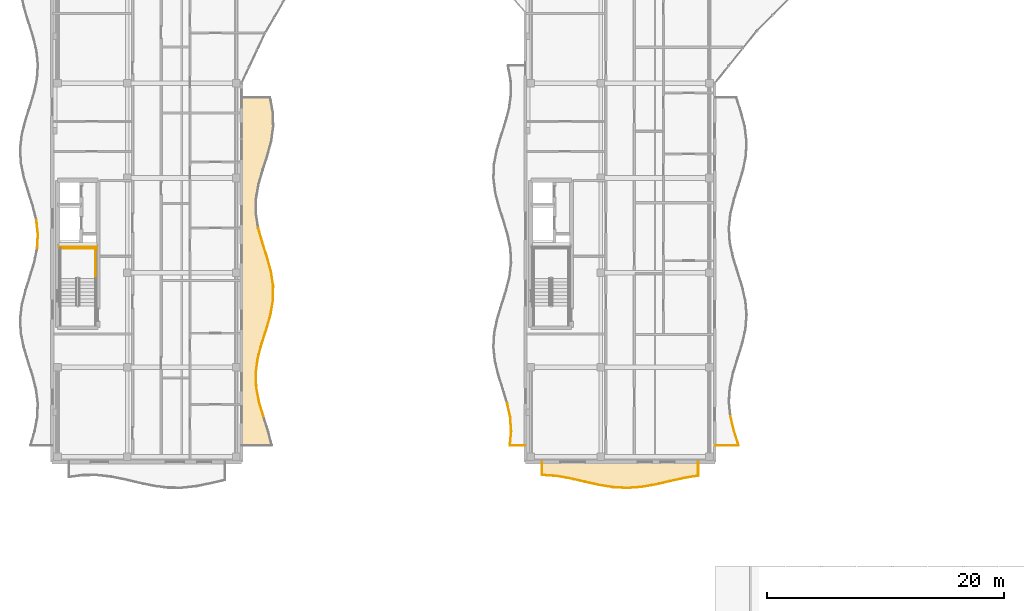
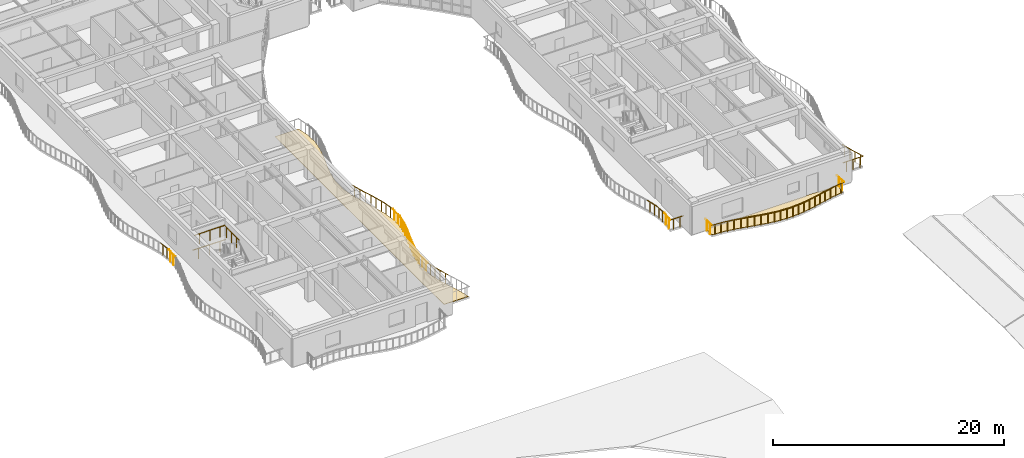
# One storey, part 66 of 89: 38 railings, 2 coverings.
"""IFC4 building model written with IfcOpenShell, lengths in metres."""

from ifc_helpers import new_model, si_unit, direction, frame, origin, origin_2d, place, context, subcontext, project, spatial, polyline, circle, outline, extrude, material, layer, layer_set, type_object, element, save


model = new_model("IFC4")

# Units and contexts
model_context = context("Model", 3, precision=1e-05, world=origin(), true_north=direction((0.0, 1.0)))
body_context = subcontext(model_context, "Body", "Model", "MODEL_VIEW")
ifc_project = project(units=[si_unit("LENGTHUNIT", "METRE"), si_unit("AREAUNIT", "SQUARE_METRE"), si_unit("VOLUMEUNIT", "CUBIC_METRE"), si_unit("PLANEANGLEUNIT", "RADIAN"), si_unit("MASSUNIT", "GRAM", prefix="KILO")], contexts=[model_context])

# Site, building, storey
site_placement = place(None, origin())
site = spatial("IfcSite", under=ifc_project, at=site_placement, CompositionType="ELEMENT")
building_placement = place(site_placement, origin())
building = spatial("IfcBuilding", under=site, at=building_placement, Name="Keldmere Railside Commons", CompositionType="ELEMENT")
storey_placement = place(building_placement, frame((0.0, 0.0, 7.360107421875)))
storey = spatial("IfcBuildingStorey", under=building, at=storey_placement, Name="L02", CompositionType="ELEMENT", Elevation=7.360107421875)

# Railings
ifc_material_1 = material(Name="Steel F-24 (S235)", Category="steel")
railing_type_1 = type_object("IfcRailingType", Name="Balcony & Terrace Steel Balustrade 1100", PredefinedType="BALUSTRADE", material=ifc_material_1)
railing_1_placement = place(storey_placement, frame((25.854736328125, 59.85009765625, 0.0)))
element("IfcRailing", 1, at=railing_1_placement, inside=storey, type_object=railing_type_1, Name="GR-1 GRD-L02-0156", PredefinedType="BALUSTRADE", context=body_context, shape_type="SweptSolid", body=[
    extrude(circle(Radius=0.02392578125, at=origin_2d()), frame((0.0, 0.0, 1.076171875), z_axis=(-0.286103577463, 0.958198697016, 0.0), x_axis=(-0.958198697016, -0.286103577463, 0.0)), (0.0, 0.0, 1.0), 1.2783203125),
    extrude(circle(Radius=0.02099609375, at=origin_2d()), frame((-0.09130859375, 0.30615234375, 0.0)), (0.0, 0.0, 1.0), 1.048095703125),
    extrude(circle(Radius=0.02099609375, at=origin_2d()), frame((-0.2744140625, 0.918701171875, 0.0)), (0.0, 0.0, 1.0), 1.048095703125),
])
railing_2_placement = place(storey_placement, frame((25.489013671875, 61.074951171875, 0.0)))
element("IfcRailing", 2, at=railing_2_placement, inside=storey, type_object=railing_type_1, Name="GR-1 GRD-L02-0157", PredefinedType="BALUSTRADE", context=body_context, shape_type="SweptSolid", body=[
    extrude(circle(Radius=0.02392578125, at=origin_2d()), frame((0.0, 0.0, 1.076171875), z_axis=(-0.189979321875, 0.98178809183, 0.0), x_axis=(-0.98178809183, -0.189979321875, 0.0)), (0.0, 0.0, 1.0), 1.247802734375),
    extrude(circle(Radius=0.02099609375, at=origin_2d()), frame((-0.059326171875, 0.30615234375, 0.0)), (0.0, 0.0, 1.0), 1.048095703125),
    extrude(circle(Radius=0.02099609375, at=origin_2d()), frame((-0.177734375, 0.9189453125, 0.0)), (0.0, 0.0, 1.0), 1.048095703125),
])
railing_3_placement = place(storey_placement, frame((25.251953125, 62.300048828125, 0.0)))
element("IfcRailing", 3, at=railing_3_placement, inside=storey, type_object=railing_type_1, Name="GR-1 GRD-L02-0158", PredefinedType="BALUSTRADE", context=body_context, shape_type="SweptSolid", body=[
    extrude(circle(Radius=0.02392578125, at=origin_2d()), frame((0.0, 0.0, 1.076171875), z_axis=(-0.03446227584, 0.999405999354, 0.0), x_axis=(-0.999405999354, -0.03446227584, 0.0)), (0.0, 0.0, 1.0), 1.2255859375),
    extrude(circle(Radius=0.02099609375, at=origin_2d()), frame((-0.010498046875, 0.30615234375, 0.0)), (0.0, 0.0, 1.0), 1.048095703125),
    extrude(circle(Radius=0.02099609375, at=origin_2d()), frame((-0.03173828125, 0.918701171875, 0.0)), (0.0, 0.0, 1.0), 1.048095703125),
])
railing_4_placement = place(storey_placement, frame((25.209716796875, 63.52490234375, 0.0)))
element("IfcRailing", 4, at=railing_4_placement, inside=storey, type_object=railing_type_1, Name="GR-1 GRD-L02-0159", PredefinedType="BALUSTRADE", context=body_context, shape_type="SweptSolid", body=[
    extrude(circle(Radius=0.02392578125, at=origin_2d()), frame((0.0, 0.0, 1.076171875), z_axis=(0.132732967886, 0.991151834603, 0.0), x_axis=(-0.991151834603, 0.132732967886, 0.0)), (0.0, 0.0, 1.0), 1.236083984375),
    extrude(circle(Radius=0.02099609375, at=origin_2d()), frame((0.041015625, 0.30615234375, 0.0)), (0.0, 0.0, 1.0), 1.048095703125),
    extrude(circle(Radius=0.02099609375, at=origin_2d()), frame((0.123046875, 0.9189453125, 0.0)), (0.0, 0.0, 1.0), 1.048095703125),
])
railing_5_placement = place(storey_placement, frame((25.373779296875, 64.75, 0.0)))
element("IfcRailing", 5, at=railing_5_placement, inside=storey, type_object=railing_type_1, Name="GR-1 GRD-L02-0160", PredefinedType="BALUSTRADE", context=body_context, shape_type="SweptSolid", body=[
    extrude(circle(Radius=0.02392578125, at=origin_2d()), frame((0.0, 0.0, 1.076171875), z_axis=(0.256379610273, 0.966576171564, 0.0), x_axis=(-0.966576171564, 0.256379610273, 0.0)), (0.0, 0.0, 1.0), 1.267578125),
    extrude(circle(Radius=0.02099609375, at=origin_2d()), frame((0.081298828125, 0.30615234375, 0.0)), (0.0, 0.0, 1.0), 1.048095703125),
    extrude(circle(Radius=0.02099609375, at=origin_2d()), frame((0.24365234375, 0.9189453125, 0.0)), (0.0, 0.0, 1.0), 1.048095703125),
])
railing_6_placement = place(storey_placement, frame((25.69873046875, 65.97509765625, 0.0)))
element("IfcRailing", 6, at=railing_6_placement, inside=storey, type_object=railing_type_1, Name="GR-1 GRD-L02-0161", PredefinedType="BALUSTRADE", context=body_context, shape_type="SweptSolid", body=[
    extrude(circle(Radius=0.02392578125, at=origin_2d()), frame((0.0, 0.0, 1.076171875), z_axis=(0.306936267596, 0.951730070784, 0.0), x_axis=(-0.951730070784, 0.306936267596, 0.0)), (0.0, 0.0, 1.0), 1.286865234375),
    extrude(circle(Radius=0.02099609375, at=origin_2d()), frame((0.0986328125, 0.30615234375, 0.0)), (0.0, 0.0, 1.0), 1.048095703125),
    extrude(circle(Radius=0.02099609375, at=origin_2d()), frame((0.29638671875, 0.918701171875, 0.0)), (0.0, 0.0, 1.0), 1.048095703125),
])
railing_7_placement = place(storey_placement, frame((26.09375, 67.199951171875, 0.0)))
element("IfcRailing", 7, at=railing_7_placement, inside=storey, type_object=railing_type_1, Name="GR-1 GRD-L02-0162", PredefinedType="BALUSTRADE", context=body_context, shape_type="SweptSolid", body=[
    extrude(circle(Radius=0.02392578125, at=origin_2d()), frame((0.0, 0.0, 1.076171875), z_axis=(0.278309039425, 0.96049158173, 0.0), x_axis=(-0.96049158173, 0.278309039425, 0.0)), (0.0, 0.0, 1.0), 1.275390625),
    extrude(circle(Radius=0.02099609375, at=origin_2d()), frame((0.0888671875, 0.30615234375, 0.0)), (0.0, 0.0, 1.0), 1.048095703125),
    extrude(circle(Radius=0.02099609375, at=origin_2d()), frame((0.26611328125, 0.9189453125, 0.0)), (0.0, 0.0, 1.0), 1.048095703125),
])
railing_8_placement = place(storey_placement, frame((26.44873046875, 68.425048828125, 0.0)))
element("IfcRailing", 8, at=railing_8_placement, inside=storey, type_object=railing_type_1, Name="GR-1 GRD-L02-0163", PredefinedType="BALUSTRADE", context=body_context, shape_type="SweptSolid", body=[
    extrude(circle(Radius=0.02392578125, at=origin_2d()), frame((0.0, 0.0, 1.076171875), z_axis=(0.17352776868, 0.984828976776, 0.0), x_axis=(-0.984828976776, 0.17352776868, 0.0)), (0.0, 0.0, 1.0), 1.24365234375),
    extrude(circle(Radius=0.02099609375, at=origin_2d()), frame((0.053955078125, 0.30615234375, 0.0)), (0.0, 0.0, 1.0), 1.048095703125),
    extrude(circle(Radius=0.02099609375, at=origin_2d()), frame((0.161865234375, 0.918701171875, 0.0)), (0.0, 0.0, 1.0), 1.048095703125),
])
railing_9_placement = place(storey_placement, frame((26.66455078125, 69.64990234375, 0.0)))
element("IfcRailing", 9, at=railing_9_placement, inside=storey, type_object=railing_type_1, Name="GR-1 GRD-L02-0164", PredefinedType="BALUSTRADE", context=body_context, shape_type="SweptSolid", body=[
    extrude(circle(Radius=0.02392578125, at=origin_2d()), frame((0.0, 0.0, 1.076171875), z_axis=(0.013350743048, 0.999910874858, 0.0), x_axis=(-0.999910874858, 0.013350743048, 0.0)), (0.0, 0.0, 1.0), 1.22509765625),
    extrude(circle(Radius=0.02099609375, at=origin_2d()), frame((0.004150390625, 0.30615234375, 0.0)), (0.0, 0.0, 1.0), 1.048095703125),
    extrude(circle(Radius=0.02099609375, at=origin_2d()), frame((0.01220703125, 0.9189453125, 0.0)), (0.0, 0.0, 1.0), 1.048095703125),
])
railing_10_placement = place(storey_placement, frame((26.680908203125, 70.875, 0.0)))
element("IfcRailing", 10, at=railing_10_placement, inside=storey, type_object=railing_type_1, Name="GR-1 GRD-L02-0165", PredefinedType="BALUSTRADE", context=body_context, shape_type="SweptSolid", body=[
    extrude(circle(Radius=0.02392578125, at=origin_2d()), frame((0.0, 0.0, 1.076171875), z_axis=(-0.151094912793, 0.988519259968, 0.0), x_axis=(-0.988519259968, -0.151094912793, 0.0)), (0.0, 0.0, 1.0), 1.2392578125),
    extrude(circle(Radius=0.02099609375, at=origin_2d()), frame((-0.046875, 0.30615234375, 0.0)), (0.0, 0.0, 1.0), 1.048095703125),
    extrude(circle(Radius=0.02099609375, at=origin_2d()), frame((-0.140380859375, 0.9189453125, 0.0)), (0.0, 0.0, 1.0), 1.048095703125),
])
railing_11_placement = place(storey_placement, frame((26.49365234375, 72.10009765625, 0.0)))
element("IfcRailing", 11, at=railing_11_placement, inside=storey, type_object=railing_type_1, Name="GR-1 GRD-L02-0166", PredefinedType="BALUSTRADE", context=body_context, shape_type="SweptSolid", body=[
    extrude(circle(Radius=0.02392578125, at=origin_2d()), frame((0.0, 0.0, 1.076171875), z_axis=(-0.266821441015, 0.963745982412, 0.0), x_axis=(-0.963745982412, -0.266821441015, 0.0)), (0.0, 0.0, 1.0), 1.27099609375),
    extrude(circle(Radius=0.02099609375, at=origin_2d()), frame((-0.084716796875, 0.30615234375, 0.0)), (0.0, 0.0, 1.0), 1.048095703125),
    extrude(circle(Radius=0.02099609375, at=origin_2d()), frame((-0.25439453125, 0.918701171875, 0.0)), (0.0, 0.0, 1.0), 1.048095703125),
])
railing_12_placement = place(storey_placement, frame((26.154541015625, 73.324951171875, 0.0)))
element("IfcRailing", 12, at=railing_12_placement, inside=storey, type_object=railing_type_1, Name="GR-1 GRD-L02-0167", PredefinedType="BALUSTRADE", context=body_context, shape_type="SweptSolid", body=[
    extrude(circle(Radius=0.02392578125, at=origin_2d()), frame((0.0, 0.0, 1.076171875), z_axis=(-0.307739510091, 0.95147064796, 0.0), x_axis=(-0.95147064796, -0.307739510091, 0.0)), (0.0, 0.0, 1.0), 1.28759765625),
    extrude(circle(Radius=0.02099609375, at=origin_2d()), frame((-0.09912109375, 0.30615234375, 0.0)), (0.0, 0.0, 1.0), 1.048095703125),
    extrude(circle(Radius=0.02099609375, at=origin_2d()), frame((-0.297119140625, 0.9189453125, 0.0)), (0.0, 0.0, 1.0), 1.048095703125),
])
railing_13_placement = place(storey_placement, frame((25.75830078125, 74.550048828125, 0.0)))
element("IfcRailing", 13, at=railing_13_placement, inside=storey, type_object=railing_type_1, Name="GR-1 GRD-L02-0168", PredefinedType="BALUSTRADE", context=body_context, shape_type="SweptSolid", body=[
    extrude(circle(Radius=0.02392578125, at=origin_2d()), frame((0.0, 0.0, 1.076171875), z_axis=(-0.269316627201, 0.963051688287, 0.0), x_axis=(-0.963051688287, -0.269316627201, 0.0)), (0.0, 0.0, 1.0), 1.271728515625),
    extrude(circle(Radius=0.02099609375, at=origin_2d()), frame((-0.085693359375, 0.30615234375, 0.0)), (0.0, 0.0, 1.0), 1.048095703125),
    extrude(circle(Radius=0.02099609375, at=origin_2d()), frame((-0.2568359375, 0.918701171875, 0.0)), (0.0, 0.0, 1.0), 1.048095703125),
])
railing_14_placement = place(storey_placement, frame((6.736083984375, 74.083251953125, 0.0)))
element("IfcRailing", 14, at=railing_14_placement, inside=storey, type_object=railing_type_1, Name="GR-1 GRD-L02-0194", PredefinedType="BALUSTRADE", context=body_context, shape_type="SweptSolid", body=[
    extrude(circle(Radius=0.02392578125, at=origin_2d()), frame((0.0, 0.0, 1.076171875), z_axis=(0.050131518768, 0.998742624917, 0.0), x_axis=(-0.998742624917, 0.050131518768, 0.0)), (0.0, 0.0, 1.0), 1.193115234375),
    extrude(circle(Radius=0.02099609375, at=origin_2d()), frame((0.014892578125, 0.2978515625, 0.0)), (0.0, 0.0, 1.0), 1.048095703125),
    extrude(circle(Radius=0.02099609375, at=origin_2d()), frame((0.044921875, 0.893798828125, 0.0)), (0.0, 0.0, 1.0), 1.048095703125),
])
railing_15_placement = place(storey_placement, frame((6.7958984375, 75.27490234375, 0.0)))
element("IfcRailing", 15, at=railing_15_placement, inside=storey, type_object=railing_type_1, Name="GR-1 GRD-L02-0195", PredefinedType="BALUSTRADE", context=body_context, shape_type="SweptSolid", body=[
    extrude(circle(Radius=0.02392578125, at=origin_2d()), frame((0.0, 0.0, 1.076171875), z_axis=(-0.114361497637, 0.993439201893, 0.0), x_axis=(-0.993439201893, -0.114361497637, 0.0)), (0.0, 0.0, 1.0), 1.19970703125),
    extrude(circle(Radius=0.02099609375, at=origin_2d()), frame((-0.0341796875, 0.2978515625, 0.0)), (0.0, 0.0, 1.0), 1.048095703125),
    extrude(circle(Radius=0.02099609375, at=origin_2d()), frame((-0.10302734375, 0.89404296875, 0.0)), (0.0, 0.0, 1.0), 1.048095703125),
])
railing_16_placement = place(storey_placement, frame((64.0, 57.39990234375, 0.0)))
element("IfcRailing", 16, at=railing_16_placement, inside=storey, type_object=railing_type_1, Name="GR-1 GRD-L02-0954", PredefinedType="BALUSTRADE", context=body_context, shape_type="SweptSolid", body=[
    extrude(circle(Radius=0.02392578125, at=origin_2d()), frame((0.0, 0.0, 1.076171875), z_axis=(1.0, 0.0, 0.0), x_axis=(0.0, 1.0, 0.0)), (0.0, 0.0, 1.0), 2.0185546875),
    extrude(circle(Radius=0.02099609375, at=origin_2d()), frame((0.33642578125, 0.0, 0.0)), (0.0, 0.0, 1.0), 1.048095703125),
    extrude(circle(Radius=0.02099609375, at=origin_2d()), frame((1.00927734375, 0.0, 0.0)), (0.0, 0.0, 1.0), 1.048095703125),
    extrude(circle(Radius=0.02099609375, at=origin_2d()), frame((1.68212890625, 0.0, 0.0)), (0.0, 0.0, 1.0), 1.048095703125),
])
railing_17_placement = place(storey_placement, frame((66.0185546875, 57.39990234375, 0.0)))
element("IfcRailing", 17, at=railing_17_placement, inside=storey, type_object=railing_type_1, Name="GR-1 GRD-L02-0955", PredefinedType="BALUSTRADE", context=body_context, shape_type="SweptSolid", body=[
    extrude(circle(Radius=0.02392578125, at=origin_2d()), frame((0.0, 0.0, 1.076171875), z_axis=(-0.303266361998, 0.952905826239, 0.0), x_axis=(-0.952905826239, -0.303266361998, 0.0)), (0.0, 0.0, 1.0), 1.28564453125),
    extrude(circle(Radius=0.02099609375, at=origin_2d()), frame((-0.097412109375, 0.30615234375, 0.0)), (0.0, 0.0, 1.0), 1.048095703125),
    extrude(circle(Radius=0.02099609375, at=origin_2d()), frame((-0.29248046875, 0.9189453125, 0.0)), (0.0, 0.0, 1.0), 1.048095703125),
])
railing_18_placement = place(storey_placement, frame((65.628662109375, 58.625, 0.0)))
element("IfcRailing", 18, at=railing_18_placement, inside=storey, type_object=railing_type_1, Name="GR-1 GRD-L02-0956", PredefinedType="BALUSTRADE", context=body_context, shape_type="SweptSolid", body=[
    extrude(circle(Radius=0.02392578125, at=origin_2d()), frame((0.0, 0.0, 1.076171875), z_axis=(-0.238252528494, 0.971203239629, 0.0), x_axis=(-0.971203239629, -0.238252528494, 0.0)), (0.0, 0.0, 1.0), 1.261474609375),
    extrude(circle(Radius=0.02099609375, at=origin_2d()), frame((-0.0751953125, 0.30615234375, 0.0)), (0.0, 0.0, 1.0), 1.048095703125),
    extrude(circle(Radius=0.02099609375, at=origin_2d()), frame((-0.225341796875, 0.9189453125, 0.0)), (0.0, 0.0, 1.0), 1.048095703125),
])
railing_19_placement = place(storey_placement, frame((48.0, 57.39990234375, 0.0)))
element("IfcRailing", 19, at=railing_19_placement, inside=storey, type_object=railing_type_1, Name="GR-1 GRD-L02-0980", PredefinedType="BALUSTRADE", context=body_context, shape_type="SweptSolid", body=[
    extrude(circle(Radius=0.02392578125, at=origin_2d()), frame((0.0, 0.0, 1.076171875), z_axis=(-1.0, 0.0, 0.0), x_axis=(0.0, -1.0, 0.0)), (0.0, 0.0, 1.0), 1.3154296875),
    extrude(circle(Radius=0.02099609375, at=origin_2d()), frame((-0.328857421875, 0.0, 0.0)), (0.0, 0.0, 1.0), 1.048095703125),
    extrude(circle(Radius=0.02099609375, at=origin_2d()), frame((-0.986572265625, 0.0, 0.0)), (0.0, 0.0, 1.0), 1.048095703125),
])
railing_20_placement = place(storey_placement, frame((46.6845703125, 57.39990234375, 0.0)))
element("IfcRailing", 20, at=railing_20_placement, inside=storey, type_object=railing_type_1, Name="GR-1 GRD-L02-0981", PredefinedType="BALUSTRADE", context=body_context, shape_type="SweptSolid", body=[
    extrude(circle(Radius=0.02392578125, at=origin_2d()), frame((0.0, 0.0, 1.076171875), z_axis=(0.096062910539, 0.99537526452, 0.0), x_axis=(-0.99537526452, 0.096062910539, 0.0)), (0.0, 0.0, 1.0), 1.194580078125),
    extrude(circle(Radius=0.02099609375, at=origin_2d()), frame((0.02880859375, 0.29736328125, 0.0)), (0.0, 0.0, 1.0), 1.048095703125),
    extrude(circle(Radius=0.02099609375, at=origin_2d()), frame((0.0859375, 0.8916015625, 0.0)), (0.0, 0.0, 1.0), 1.048095703125),
])
railing_21_placement = place(storey_placement, frame((46.79931640625, 58.5888671875, 0.0)))
element("IfcRailing", 21, at=railing_21_placement, inside=storey, type_object=railing_type_1, Name="GR-1 GRD-L02-0982", PredefinedType="BALUSTRADE", context=body_context, shape_type="SweptSolid", body=[
    extrude(circle(Radius=0.02392578125, at=origin_2d()), frame((0.0, 0.0, 1.076171875), z_axis=(-0.069237958616, 0.997600172958, 0.0), x_axis=(-0.997600172958, -0.069237958616, 0.0)), (0.0, 0.0, 1.0), 1.19189453125),
    extrude(circle(Radius=0.02099609375, at=origin_2d()), frame((-0.0205078125, 0.29736328125, 0.0)), (0.0, 0.0, 1.0), 1.048095703125),
    extrude(circle(Radius=0.02099609375, at=origin_2d()), frame((-0.06201171875, 0.8916015625, 0.0)), (0.0, 0.0, 1.0), 1.048095703125),
])
railing_22_placement = place(storey_placement, frame((46.716796875, 59.77783203125, 0.0)))
element("IfcRailing", 22, at=railing_22_placement, inside=storey, type_object=railing_type_1, Name="GR-1 GRD-L02-0983", PredefinedType="BALUSTRADE", context=body_context, shape_type="SweptSolid", body=[
    extrude(circle(Radius=0.02392578125, at=origin_2d()), frame((0.0, 0.0, 1.076171875), z_axis=(-0.211913075083, 0.977288518611, 0.0), x_axis=(-0.977288518611, -0.211913075083, 0.0)), (0.0, 0.0, 1.0), 1.216552734375),
    extrude(circle(Radius=0.02099609375, at=origin_2d()), frame((-0.064453125, 0.29736328125, 0.0)), (0.0, 0.0, 1.0), 1.048095703125),
    extrude(circle(Radius=0.02099609375, at=origin_2d()), frame((-0.193359375, 0.8916015625, 0.0)), (0.0, 0.0, 1.0), 1.048095703125),
])
railing_23_placement = place(storey_placement, frame((49.39990234375, 56.0, 0.0)))
element("IfcRailing", 23, at=railing_23_placement, inside=storey, type_object=railing_type_1, Name="GR-1 GRD-L02-1035", PredefinedType="BALUSTRADE", context=body_context, shape_type="SweptSolid", body=[
    extrude(circle(Radius=0.02392578125, at=origin_2d()), frame((0.0, 0.0, 1.076171875), z_axis=(0.0, -1.0, 0.0), x_axis=(1.0, 0.0, 0.0)), (0.0, 0.0, 1.0), 1.100341796875),
    extrude(circle(Radius=0.02099609375, at=origin_2d()), frame((0.0, -0.275146484375, 0.0)), (0.0, 0.0, 1.0), 1.048095703125),
    extrude(circle(Radius=0.02099609375, at=origin_2d()), frame((0.0, -0.8251953125, 0.0)), (0.0, 0.0, 1.0), 1.048095703125),
])
railing_24_placement = place(storey_placement, frame((49.39990234375, 54.899658203125, 0.0)))
element("IfcRailing", 24, at=railing_24_placement, inside=storey, type_object=railing_type_1, Name="GR-1 GRD-L02-1036", PredefinedType="BALUSTRADE", context=body_context, shape_type="SweptSolid", body=[
    extrude(circle(Radius=0.02392578125, at=origin_2d()), frame((0.0, 0.0, 1.076171875), z_axis=(0.997560663074, -0.06980489587, 0.0), x_axis=(0.06980489587, 0.997560663074, 0.0)), (0.0, 0.0, 1.0), 1.203125),
    extrude(circle(Radius=0.02099609375, at=origin_2d()), frame((0.300048828125, -0.02099609375, 0.0)), (0.0, 0.0, 1.0), 1.048095703125),
    extrude(circle(Radius=0.02099609375, at=origin_2d()), frame((0.900146484375, -0.06298828125, 0.0)), (0.0, 0.0, 1.0), 1.048095703125),
])
railing_25_placement = place(storey_placement, frame((50.60009765625, 54.815673828125, 0.0)))
element("IfcRailing", 25, at=railing_25_placement, inside=storey, type_object=railing_type_1, Name="GR-1 GRD-L02-1037", PredefinedType="BALUSTRADE", context=body_context, shape_type="SweptSolid", body=[
    extrude(circle(Radius=0.02392578125, at=origin_2d()), frame((0.0, 0.0, 1.076171875), z_axis=(0.985204398003, -0.171383471067, 0.0), x_axis=(0.171383471067, 0.985204398003, 0.0)), (0.0, 0.0, 1.0), 1.218017578125),
    extrude(circle(Radius=0.02099609375, at=origin_2d()), frame((0.300048828125, -0.05224609375, 0.0)), (0.0, 0.0, 1.0), 1.048095703125),
    extrude(circle(Radius=0.02099609375, at=origin_2d()), frame((0.89990234375, -0.156494140625, 0.0)), (0.0, 0.0, 1.0), 1.048095703125),
])
railing_26_placement = place(storey_placement, frame((51.800048828125, 54.60693359375, 0.0)))
element("IfcRailing", 26, at=railing_26_placement, inside=storey, type_object=railing_type_1, Name="GR-1 GRD-L02-1038", PredefinedType="BALUSTRADE", context=body_context, shape_type="SweptSolid", body=[
    extrude(circle(Radius=0.02392578125, at=origin_2d()), frame((0.0, 0.0, 1.076171875), z_axis=(0.974270785594, -0.225380647654, 0.0), x_axis=(0.225380647654, 0.974270785594, 0.0)), (0.0, 0.0, 1.0), 1.231689453125),
    extrude(circle(Radius=0.02099609375, at=origin_2d()), frame((0.300048828125, -0.0693359375, 0.0)), (0.0, 0.0, 1.0), 1.048095703125),
    extrude(circle(Radius=0.02099609375, at=origin_2d()), frame((0.89990234375, -0.208251953125, 0.0)), (0.0, 0.0, 1.0), 1.048095703125),
])
railing_27_placement = place(storey_placement, frame((53.0, 54.329345703125, 0.0)))
element("IfcRailing", 27, at=railing_27_placement, inside=storey, type_object=railing_type_1, Name="GR-1 GRD-L02-1039", PredefinedType="BALUSTRADE", context=body_context, shape_type="SweptSolid", body=[
    extrude(circle(Radius=0.02392578125, at=origin_2d()), frame((0.0, 0.0, 1.076171875), z_axis=(0.975263281136, -0.221046448664, 0.0), x_axis=(0.221046448664, 0.975263281136, 0.0)), (0.0, 0.0, 1.0), 1.23046875),
    extrude(circle(Radius=0.02099609375, at=origin_2d()), frame((0.300048828125, -0.06787109375, 0.0)), (0.0, 0.0, 1.0), 1.048095703125),
    extrude(circle(Radius=0.02099609375, at=origin_2d()), frame((0.89990234375, -0.2041015625, 0.0)), (0.0, 0.0, 1.0), 1.048095703125),
])
railing_28_placement = place(storey_placement, frame((54.199951171875, 54.057373046875, 0.0)))
element("IfcRailing", 28, at=railing_28_placement, inside=storey, type_object=railing_type_1, Name="GR-1 GRD-L02-1040", PredefinedType="BALUSTRADE", context=body_context, shape_type="SweptSolid", body=[
    extrude(circle(Radius=0.02392578125, at=origin_2d()), frame((0.0, 0.0, 1.076171875), z_axis=(0.987232970891, -0.159282959495, 0.0), x_axis=(0.159282959495, 0.987232970891, 0.0)), (0.0, 0.0, 1.0), 1.215576171875),
    extrude(circle(Radius=0.02099609375, at=origin_2d()), frame((0.300048828125, -0.04833984375, 0.0)), (0.0, 0.0, 1.0), 1.048095703125),
    extrude(circle(Radius=0.02099609375, at=origin_2d()), frame((0.89990234375, -0.145263671875, 0.0)), (0.0, 0.0, 1.0), 1.048095703125),
])
railing_29_placement = place(storey_placement, frame((55.39990234375, 53.86376953125, 0.0)))
element("IfcRailing", 29, at=railing_29_placement, inside=storey, type_object=railing_type_1, Name="GR-1 GRD-L02-1041", PredefinedType="BALUSTRADE", context=body_context, shape_type="SweptSolid", body=[
    extrude(circle(Radius=0.02392578125, at=origin_2d()), frame((0.0, 0.0, 1.076171875), z_axis=(0.998604329135, -0.052814712281, 0.0), x_axis=(0.052814712281, 0.998604329135, 0.0)), (0.0, 0.0, 1.0), 1.201904296875),
    extrude(circle(Radius=0.02099609375, at=origin_2d()), frame((0.300048828125, -0.015869140625, 0.0)), (0.0, 0.0, 1.0), 1.048095703125),
    extrude(circle(Radius=0.02099609375, at=origin_2d()), frame((0.900146484375, -0.047607421875, 0.0)), (0.0, 0.0, 1.0), 1.048095703125),
])
railing_30_placement = place(storey_placement, frame((56.60009765625, 53.80029296875, 0.0)))
element("IfcRailing", 30, at=railing_30_placement, inside=storey, type_object=railing_type_1, Name="GR-1 GRD-L02-1042", PredefinedType="BALUSTRADE", context=body_context, shape_type="SweptSolid", body=[
    extrude(circle(Radius=0.02392578125, at=origin_2d()), frame((0.0, 0.0, 1.076171875), z_axis=(0.9975455177, 0.070020997682, 0.0), x_axis=(-0.070020997682, 0.9975455177, 0.0)), (0.0, 0.0, 1.0), 1.202880859375),
    extrude(circle(Radius=0.02099609375, at=origin_2d()), frame((0.300048828125, 0.02099609375, 0.0)), (0.0, 0.0, 1.0), 1.048095703125),
    extrude(circle(Radius=0.02099609375, at=origin_2d()), frame((0.89990234375, 0.063232421875, 0.0)), (0.0, 0.0, 1.0), 1.048095703125),
])
railing_31_placement = place(storey_placement, frame((57.800048828125, 53.884521484375, 0.0)))
element("IfcRailing", 31, at=railing_31_placement, inside=storey, type_object=railing_type_1, Name="GR-1 GRD-L02-1043", PredefinedType="BALUSTRADE", context=body_context, shape_type="SweptSolid", body=[
    extrude(circle(Radius=0.02392578125, at=origin_2d()), frame((0.0, 0.0, 1.076171875), z_axis=(0.985238225232, 0.171188900173, 0.0), x_axis=(-0.171188900173, 0.985238225232, 0.0)), (0.0, 0.0, 1.0), 1.218017578125),
    extrude(circle(Radius=0.02099609375, at=origin_2d()), frame((0.300048828125, 0.05224609375, 0.0)), (0.0, 0.0, 1.0), 1.048095703125),
    extrude(circle(Radius=0.02099609375, at=origin_2d()), frame((0.89990234375, 0.15625, 0.0)), (0.0, 0.0, 1.0), 1.048095703125),
])
railing_32_placement = place(storey_placement, frame((59.0, 54.093017578125, 0.0)))
element("IfcRailing", 32, at=railing_32_placement, inside=storey, type_object=railing_type_1, Name="GR-1 GRD-L02-1044", PredefinedType="BALUSTRADE", context=body_context, shape_type="SweptSolid", body=[
    extrude(circle(Radius=0.02392578125, at=origin_2d()), frame((0.0, 0.0, 1.076171875), z_axis=(0.974270785594, 0.225380647654, 0.0), x_axis=(-0.225380647654, 0.974270785594, 0.0)), (0.0, 0.0, 1.0), 1.231689453125),
    extrude(circle(Radius=0.02099609375, at=origin_2d()), frame((0.300048828125, 0.0693359375, 0.0)), (0.0, 0.0, 1.0), 1.048095703125),
    extrude(circle(Radius=0.02099609375, at=origin_2d()), frame((0.89990234375, 0.208251953125, 0.0)), (0.0, 0.0, 1.0), 1.048095703125),
])
railing_33_placement = place(storey_placement, frame((60.199951171875, 54.37060546875, 0.0)))
element("IfcRailing", 33, at=railing_33_placement, inside=storey, type_object=railing_type_1, Name="GR-1 GRD-L02-1045", PredefinedType="BALUSTRADE", context=body_context, shape_type="SweptSolid", body=[
    extrude(circle(Radius=0.02392578125, at=origin_2d()), frame((0.0, 0.0, 1.076171875), z_axis=(0.975263281136, 0.221046448664, 0.0), x_axis=(-0.221046448664, 0.975263281136, 0.0)), (0.0, 0.0, 1.0), 1.23046875),
    extrude(circle(Radius=0.02099609375, at=origin_2d()), frame((0.300048828125, 0.06787109375, 0.0)), (0.0, 0.0, 1.0), 1.048095703125),
    extrude(circle(Radius=0.02099609375, at=origin_2d()), frame((0.89990234375, 0.2041015625, 0.0)), (0.0, 0.0, 1.0), 1.048095703125),
])
railing_34_placement = place(storey_placement, frame((61.39990234375, 54.642578125, 0.0)))
element("IfcRailing", 34, at=railing_34_placement, inside=storey, type_object=railing_type_1, Name="GR-1 GRD-L02-1046", PredefinedType="BALUSTRADE", context=body_context, shape_type="SweptSolid", body=[
    extrude(circle(Radius=0.02392578125, at=origin_2d()), frame((0.0, 0.0, 1.076171875), z_axis=(0.987238065438, 0.159251380369, 0.0), x_axis=(-0.159251380369, 0.987238065438, 0.0)), (0.0, 0.0, 1.0), 1.2158203125),
    extrude(circle(Radius=0.02099609375, at=origin_2d()), frame((0.300048828125, 0.04833984375, 0.0)), (0.0, 0.0, 1.0), 1.048095703125),
    extrude(circle(Radius=0.02099609375, at=origin_2d()), frame((0.900146484375, 0.145263671875, 0.0)), (0.0, 0.0, 1.0), 1.048095703125),
])
railing_35_placement = place(storey_placement, frame((62.60009765625, 54.836181640625, 0.0)))
element("IfcRailing", 35, at=railing_35_placement, inside=storey, type_object=railing_type_1, Name="GR-1 GRD-L02-1047", PredefinedType="BALUSTRADE", context=body_context, shape_type="SweptSolid", body=[
    extrude(circle(Radius=0.02392578125, at=origin_2d()), frame((0.0, 0.0, 1.076171875), z_axis=(0.0, 1.0, 0.0), x_axis=(-1.0, 0.0, 0.0)), (0.0, 0.0, 1.0), 1.163818359375),
    extrude(circle(Radius=0.02099609375, at=origin_2d()), frame((0.0, 0.291015625, 0.0)), (0.0, 0.0, 1.0), 1.048095703125),
    extrude(circle(Radius=0.02099609375, at=origin_2d()), frame((0.0, 0.872802734375, 0.0)), (0.0, 0.0, 1.0), 1.048095703125),
])
railing_type_2 = type_object("IfcRailingType", Name="Stair Well Steel Guardrail 1100", PredefinedType="BALUSTRADE", material=ifc_material_1)
railing_36_placement = place(storey_placement, frame((11.64990234375, 71.52001953125, 1.599853515625)))
element("IfcRailing", 36, at=railing_36_placement, inside=storey, type_object=railing_type_2, Name="L02 ST-D1 stair guard 3", PredefinedType="BALUSTRADE", context=body_context, shape_type="SweptSolid", body=[
    extrude(circle(Radius=0.02392578125, at=origin_2d()), frame((0.0, 0.0, 1.076171875), z_axis=(0.0, 1.0, 0.0), x_axis=(-1.0, 0.0, 0.0)), (0.0, 0.0, 1.0), 2.580078125),
    extrude(circle(Radius=0.02099609375, at=origin_2d()), frame((0.0, 0.429931640625, 0.0)), (0.0, 0.0, 1.0), 1.048095703125),
    extrude(circle(Radius=0.02099609375, at=origin_2d()), frame((0.0, 1.2900390625, 0.0)), (0.0, 0.0, 1.0), 1.048095703125),
    extrude(circle(Radius=0.02099609375, at=origin_2d()), frame((0.0, 2.150146484375, 0.0)), (0.0, 0.0, 1.0), 1.048095703125),
])
railing_37_placement = place(storey_placement, frame((11.699951171875, 74.050048828125, 1.599853515625)))
element("IfcRailing", 37, at=railing_37_placement, inside=storey, type_object=railing_type_2, Name="L02 ST-D1 stair guard 5", PredefinedType="BALUSTRADE", context=body_context, shape_type="SweptSolid", body=[
    extrude(circle(Radius=0.02392578125, at=origin_2d()), frame((0.0, 0.0, 1.076171875), z_axis=(-1.0, 0.0, 0.0), x_axis=(0.0, -1.0, 0.0)), (0.0, 0.0, 1.0), 3.050048828125),
    extrude(circle(Radius=0.02099609375, at=origin_2d()), frame((-0.50830078125, 0.0, 0.0)), (0.0, 0.0, 1.0), 1.048095703125),
    extrude(circle(Radius=0.02099609375, at=origin_2d()), frame((-1.52490234375, 0.0, 0.0)), (0.0, 0.0, 1.0), 1.048095703125),
    extrude(circle(Radius=0.02099609375, at=origin_2d()), frame((-2.541748046875, 0.0, 0.0)), (0.0, 0.0, 1.0), 1.048095703125),
])
railing_38_placement = place(storey_placement, frame((11.800048828125, 74.14990234375, 0.0)))
element("IfcRailing", 38, at=railing_38_placement, inside=storey, type_object=railing_type_2, Name="L02 ST-D1 stair guard 12", PredefinedType="BALUSTRADE", context=body_context, shape_type="SweptSolid", body=[
    extrude(circle(Radius=0.02392578125, at=origin_2d()), frame((0.0, 0.0, 1.076171875), z_axis=(-1.0, 0.0, 0.0), x_axis=(0.0, -1.0, 0.0)), (0.0, 0.0, 1.0), 3.25),
    extrude(circle(Radius=0.02099609375, at=origin_2d()), frame((-0.541748046875, 0.0, 0.0)), (0.0, 0.0, 1.0), 1.048095703125),
    extrude(circle(Radius=0.02099609375, at=origin_2d()), frame((-1.625, 0.0, 0.0)), (0.0, 0.0, 1.0), 1.048095703125),
    extrude(circle(Radius=0.02099609375, at=origin_2d()), frame((-2.708251953125, 0.0, 0.0)), (0.0, 0.0, 1.0), 1.048095703125),
])

# Coverings
ifc_material_2 = material(Name="White Precast Concrete C35/45", Category="concrete")
ifc_layer = layer(ifc_material_2, 0.044921875, Name="White Architectural Balcony Ribbon Cladding 45")
ifc_layer_set = layer_set([ifc_layer], Name="White Precast Concrete C35/45")
covering_type = type_object("IfcCoveringType", Name="White Architectural Balcony Ribbon Cladding 45", PredefinedType="FLOORING", material=ifc_layer_set)
covering_1_placement = place(storey_placement, origin())
element("IfcCovering", 39, at=covering_1_placement, inside=storey, type_object=covering_type, Name="CLG-WB D L02 CE White Balcony Ribbon", PredefinedType="FLOORING", context=body_context, shape_type="SweptSolid", body=[
    extrude(outline(polyline([(26.20849609375, 58.614013671875), (25.816650390625, 59.837890625), (25.81640625, 59.838623046875), (25.45068359375, 61.063720703125), (25.44970703125, 61.0673828125), (25.212646484375, 62.29248046875), (25.212158203125, 62.29541015625), (25.2119140625, 62.298583984375), (25.169677734375, 63.523681640625), (25.169677734375, 63.527099609375), (25.169921875, 63.5302734375), (25.334228515625, 64.75537109375), (25.335205078125, 64.76025390625), (25.659912109375, 65.9853515625), (25.66064453125, 65.9873046875), (26.055419921875, 67.211669921875), (26.40966796875, 68.43408203125), (26.62451171875, 69.65380859375), (26.64111328125, 70.872314453125), (26.454345703125, 72.091552734375), (26.1162109375, 73.3134765625), (25.72021484375, 74.53759765625), (25.719970703125, 74.539306640625), (25.377197265625, 75.76416015625), (25.376220703125, 75.768798828125), (25.1826171875, 76.993896484375), (25.18212890625, 76.9970703125), (25.18212890625, 77.000244140625), (25.19140625, 78.225341796875), (25.191650390625, 78.228515625), (25.192138671875, 78.231689453125), (25.402099609375, 79.456787109375), (25.403076171875, 79.4609375), (25.754638671875, 80.68603515625), (25.7548828125, 80.687255859375), (26.150146484375, 81.911376953125), (26.478271484375, 83.133056640625), (26.64794921875, 84.352294921875), (26.61279296875, 85.57080078125), (26.38818359375, 86.760009765625), (24.0400390625, 86.760009765625), (24.0400390625, 57.43994140625), (26.5048828125, 57.43994140625), (26.20849609375, 58.614013671875)])), origin(), (0.0, 0.0, 1.0), 0.044921875),
])
covering_2_placement = place(storey_placement, origin())
element("IfcCovering", 40, at=covering_2_placement, inside=storey, type_object=covering_type, Name="CLG-WB C L02 S White Balcony Ribbon", PredefinedType="FLOORING", context=body_context, shape_type="SweptSolid", body=[
    extrude(outline(polyline([(50.602783203125, 54.85546875), (50.60693359375, 54.85498046875), (51.806884765625, 54.646240234375), (51.80908203125, 54.64599609375), (53.0087890625, 54.368408203125), (54.20751953125, 54.0966796875), (55.404296875, 53.903564453125), (56.599609375, 53.840576171875), (57.795166015625, 53.92431640625), (58.9921875, 54.13232421875), (60.19091796875, 54.40966796875), (60.191162109375, 54.40966796875), (61.39111328125, 54.681640625), (61.3935546875, 54.68212890625), (62.56005859375, 54.870361328125), (62.56005859375, 55.9599609375), (49.43994140625, 55.9599609375), (49.43994140625, 54.93701171875), (50.602783203125, 54.85546875)])), origin(), (0.0, 0.0, 1.0), 0.044921875),
])

save(model, "model.ifc")
